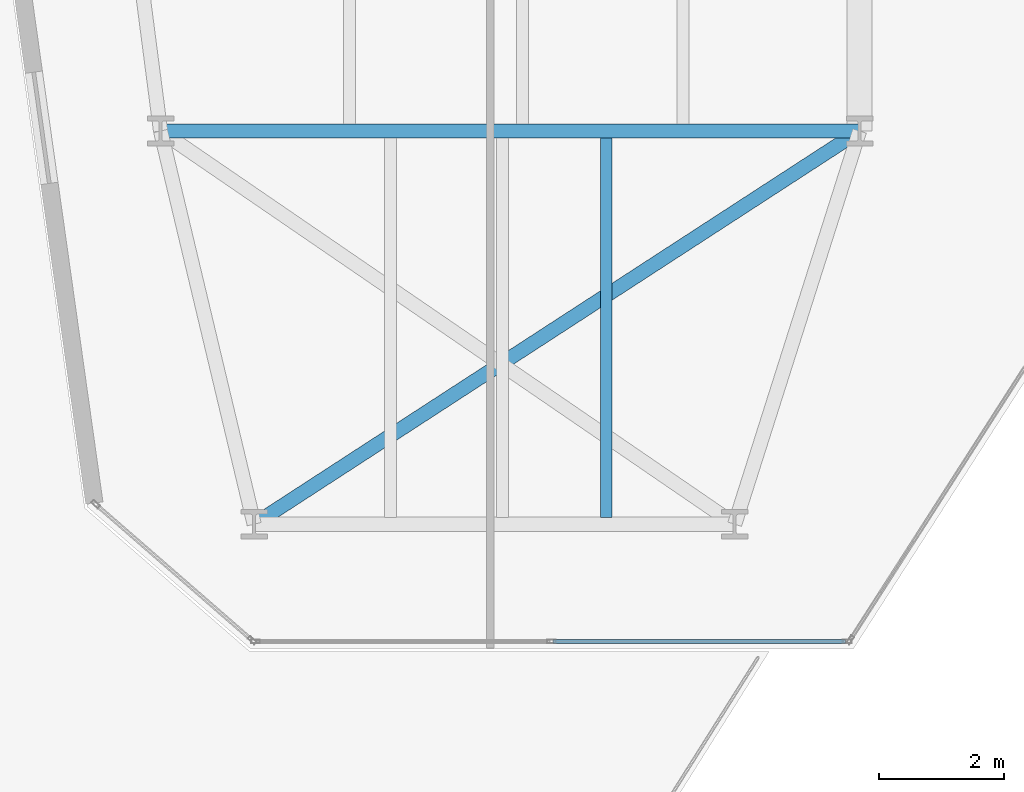
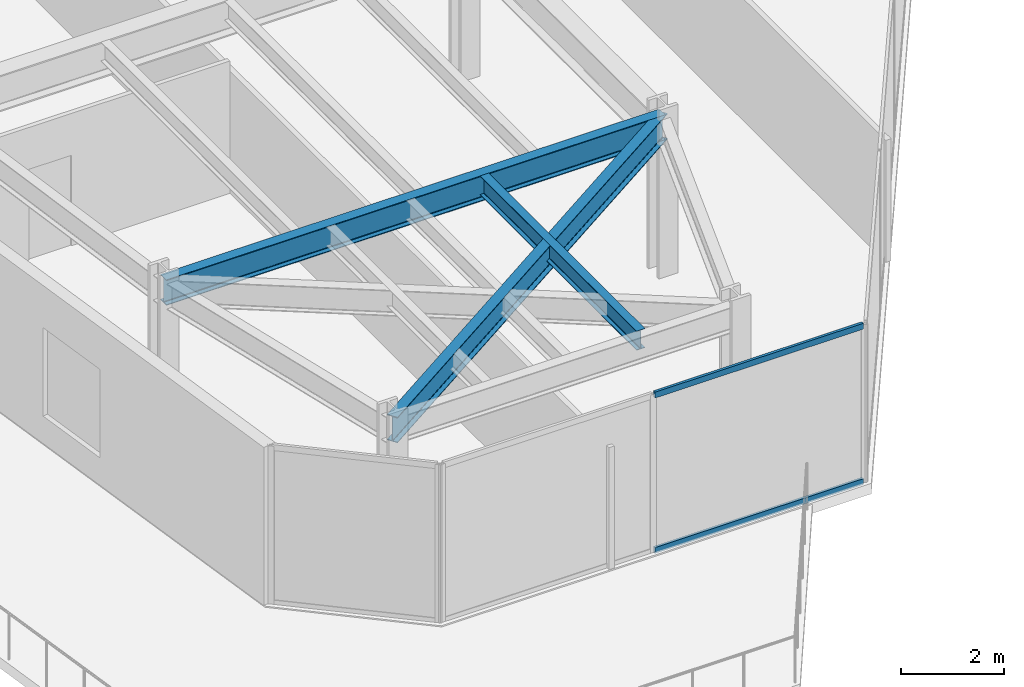
# One storey, part 3 of 24: 3 beams, 2 members, 1 element without a shape of its own.
"""IFC4 building model written with IfcOpenShell, lengths in metres."""

from ifc_helpers import new_model, si_unit, direction, frame, origin, origin_2d, place, context, subcontext, project, spatial, hollow_rectangle, i_section, extrude, material, layer, layer_set, material_profile, profile_set, type_object, element, aggregate, save


model = new_model("IFC4")

# Units and contexts
model_context = context("Model", 3, precision=1e-05, world=origin(), true_north=direction((0.0, 1.0)))
body_context = subcontext(model_context, "Body", "Model", "MODEL_VIEW")
ifc_project = project(units=[si_unit("LENGTHUNIT", "METRE"), si_unit("AREAUNIT", "SQUARE_METRE"), si_unit("VOLUMEUNIT", "CUBIC_METRE"), si_unit("PLANEANGLEUNIT", "RADIAN"), si_unit("MASSUNIT", "GRAM", prefix="KILO")], contexts=[model_context])

# Site, building, storey
site_placement = place(None, origin())
site = spatial("IfcSite", under=ifc_project, at=site_placement, CompositionType="ELEMENT")
building_placement = place(site_placement, origin())
building = spatial("IfcBuilding", under=site, at=building_placement, Name="Kravanh Interchange Tower", CompositionType="ELEMENT")
storey_placement = place(building_placement, frame((0.0, 0.0, 96.0)))
storey = spatial("IfcBuildingStorey", under=building, at=storey_placement, Name="L22", CompositionType="ELEMENT", Elevation=96.0)

# Curtain wall, members
ifc_material_1 = material(Name="Anodised Bronze Aluminium", Category="aluminium")
ifc_layer = layer(ifc_material_1, 0.179931640625)
ifc_layer_set = layer_set([ifc_layer], Name="Unitised Curtain Wall System CW-Z2 Mid Office")
curtain_wall_type = type_object("IfcCurtainWallType", Name="Unitised Curtain Wall System CW-Z2 Mid Office", PredefinedType="NOTDEFINED", material=ifc_layer_set)
curtain_wall_placement = place(storey_placement, origin())
curtain_wall = element("IfcCurtainWall", 1, at=curtain_wall_placement, inside=storey, type_object=curtain_wall_type, Name="L22 Unitised Curtain Wall CW-L22-06", PredefinedType="NOTDEFINED")
ifc_material_2 = material(Name="Anodised Bronze Aluminium", Category="aluminium")
ifc_material_profile_1 = material_profile(ifc_material_2, hollow_rectangle(XDim=0.06005859375, YDim=0.139892578125, WallThickness=0.00390625, at=origin_2d()), Name="ALU60X140X4")
ifc_profile_set_1 = profile_set([ifc_material_profile_1], Name="Anodised Bronze Aluminium")
member_type = type_object("IfcMemberType", Name="Curtain Wall Transom ALU60X140X4 Bronze", PredefinedType="USERDEFINED", material=ifc_profile_set_1)
member_1_placement = place(storey_placement, frame((26.974365234375, 6.320068359375, 0.030029296875), z_axis=(-1.0, 0.0, 0.0), x_axis=(0.0, -1.0, 0.0)))
member_1 = element("IfcMember", 2, at=member_1_placement, type_object=member_type, Name="CW-Z2 transom 1.1", ObjectType="TRANSOM", PredefinedType="USERDEFINED", context=body_context, shape_type="SweptSolid", body=[
    extrude(hollow_rectangle(XDim=0.06005859375, YDim=0.139892578125, WallThickness=0.00390625, at=origin_2d()), origin(), (0.0, 0.0, 1.0), 4.682373046875),
])
member_2_placement = place(storey_placement, frame((26.974365234375, 6.320068359375, 3.719970703125), z_axis=(-1.0, 0.0, 0.0), x_axis=(0.0, -1.0, 0.0)))
member_2 = element("IfcMember", 3, at=member_2_placement, type_object=member_type, Name="CW-Z2 transom 1.2", ObjectType="TRANSOM", PredefinedType="USERDEFINED", context=body_context, shape_type="SweptSolid", body=[
    extrude(hollow_rectangle(XDim=0.06005859375, YDim=0.139892578125, WallThickness=0.00390625, at=origin_2d()), origin(), (0.0, 0.0, 1.0), 4.682373046875),
])
aggregate(curtain_wall, [member_1, member_2])

# Beams
ifc_material_3 = material(Name="Structural Steel S355", Category="steel")
ifc_material_profile_2 = material_profile(ifc_material_3, i_section(OverallWidth=0.18994140625, OverallDepth=0.45703125, WebThickness=0.009033203125, FlangeThickness=0.014404296875, FilletRadius=0.01806640625, at=origin_2d()), Name="W18X50")
ifc_profile_set_2 = profile_set([ifc_material_profile_2], Name="Structural Steel S355")
beam_type_1 = type_object("IfcBeamType", Name="Floor Joist W18X50 Structural Steel S355", PredefinedType="JOIST", material=ifc_profile_set_2)
beam_1_placement = place(storey_placement, frame((23.14208984375, 8.30908203125, 3.521484375), z_axis=(0.0, 1.0, 0.0), x_axis=(-1.0, 0.0, 0.0)))
element("IfcBeam", 4, at=beam_1_placement, inside=storey, type_object=beam_type_1, Name="L22 Secondary Floor Joist 3", PredefinedType="JOIST", context=body_context, shape_type="SweptSolid", body=[
    extrude(i_section(OverallWidth=0.18994140625, OverallDepth=0.45703125, WebThickness=0.009033203125, FlangeThickness=0.014404296875, FilletRadius=0.01806640625, at=origin_2d()), origin(), (0.0, 0.0, 1.0), 6.08203125),
])
ifc_material_4 = material(Name="Structural Steel S355", Category="steel")
ifc_material_profile_3 = material_profile(ifc_material_4, i_section(OverallWidth=0.22802734375, OverallDepth=0.60791015625, WebThickness=0.01123046875, FlangeThickness=0.017333984375, FilletRadius=0.02197265625, at=origin_2d()), Name="W24X76")
ifc_profile_set_3 = profile_set([ifc_material_profile_3], Name="Structural Steel S355")
beam_type_2 = type_object("IfcBeamType", Name="Floor Spandrel W24X76 Structural Steel S355", PredefinedType="SPANDREL", material=ifc_profile_set_3)
beam_2_placement = place(storey_placement, frame((17.5, 8.199951171875, 3.446044921875), z_axis=(0.838637911458, 0.544689318295, 0.0), x_axis=(-0.544689318295, 0.838637911458, 0.0)))
element("IfcBeam", 5, at=beam_2_placement, inside=storey, type_object=beam_type_2, Name="L22 Perimeter Spandrel 36", PredefinedType="SPANDREL", context=body_context, shape_type="SweptSolid", body=[
    extrude(i_section(OverallWidth=0.22802734375, OverallDepth=0.60791015625, WebThickness=0.01123046875, FlangeThickness=0.017333984375, FilletRadius=0.02197265625, at=origin_2d()), origin(), (0.0, 0.0, 1.0), 11.56640625),
])
beam_3_placement = place(storey_placement, frame((16.0, 14.5, 3.446044921875), z_axis=(1.0, 0.0, 0.0), x_axis=(0.0, 1.0, 0.0)))
element("IfcBeam", 6, at=beam_3_placement, inside=storey, type_object=beam_type_2, Name="L22 Perimeter Spandrel 101", PredefinedType="SPANDREL", context=body_context, shape_type="SweptSolid", body=[
    extrude(i_section(OverallWidth=0.22802734375, OverallDepth=0.60791015625, WebThickness=0.01123046875, FlangeThickness=0.017333984375, FilletRadius=0.02197265625, at=origin_2d()), origin(), (0.0, 0.0, 1.0), 11.199951171875),
])

save(model, "model.ifc")
